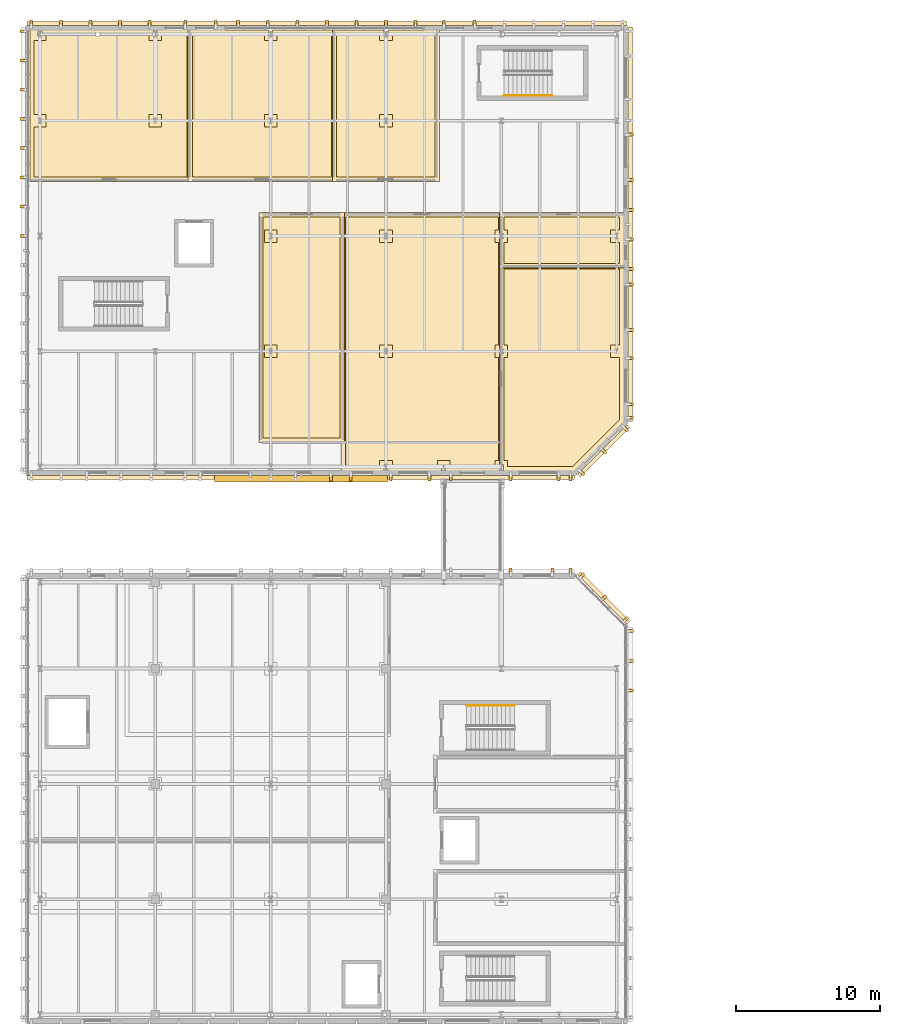
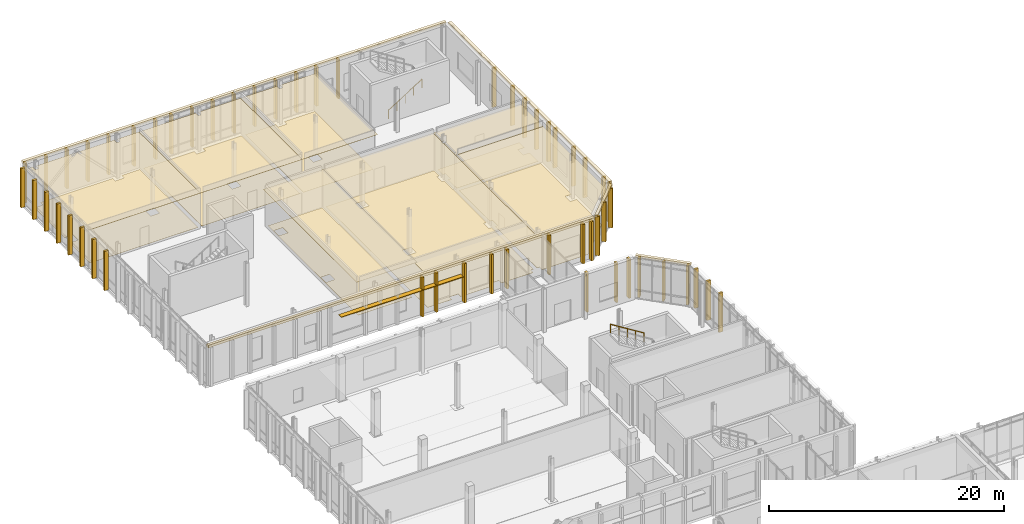
# One storey, part 95 of 100: 73 coverings, 2 railings, 1 shading device.
"""IFC4 building model written with IfcOpenShell, lengths in metres."""

from ifc_helpers import new_model, si_unit, direction, frame, origin, origin_2d, place, context, subcontext, project, spatial, polyline, rectangle, circle, outline, extrude, material, layer, layer_set, type_object, element, save


model = new_model("IFC4")

# Units and contexts
model_context = context("Model", 3, precision=1e-05, world=origin(), true_north=direction((0.0, 1.0)))
body_context = subcontext(model_context, "Body", "Model", "MODEL_VIEW")
ifc_project = project(units=[si_unit("LENGTHUNIT", "METRE"), si_unit("AREAUNIT", "SQUARE_METRE"), si_unit("VOLUMEUNIT", "CUBIC_METRE"), si_unit("PLANEANGLEUNIT", "RADIAN"), si_unit("MASSUNIT", "GRAM", prefix="KILO")], contexts=[model_context])

# Site, building, storey
site_placement = place(None, origin())
site = spatial("IfcSite", under=ifc_project, at=site_placement, CompositionType="ELEMENT")
building_placement = place(site_placement, origin())
building = spatial("IfcBuilding", under=site, at=building_placement, Name="Cymarion Research Institute", CompositionType="ELEMENT")
storey_placement = place(building_placement, frame((0.0, 0.0, 9.300048828125)))
storey = spatial("IfcBuildingStorey", under=building, at=storey_placement, Name="L02", CompositionType="ELEMENT", Elevation=9.300048828125)

# Coverings
ifc_material_1 = material(Name="Micro-perforated mineral acoustic ceiling tile", Category="gypsum")
ifc_layer_1 = layer(ifc_material_1, 0.030029296875)
ifc_layer_set_1 = layer_set([ifc_layer_1], Name="Micro-perforated mineral acoustic ceiling tile")
covering_type_1 = type_object("IfcCoveringType", Name="ACOUSTIC MICRO-PERFORATED SUSPENDED CEILING CLG-01", PredefinedType="CEILING", material=ifc_layer_set_1)
covering_1_placement = place(storey_placement, frame((0.0, 0.0, 3.699951171875)))
element("IfcCovering", 1, at=covering_1_placement, inside=storey, type_object=covering_type_1, Name="L02 L02 Climate & Earth-System Dry Modelling Laboratory acoustic ceiling", PredefinedType="CEILING", context=body_context, shape_type="SweptSolid", body=[
    extrude(outline(polyline([(27.715087890625, 103.114990234375), (27.715087890625, 87.18505859375), (21.784912109375, 87.18505859375), (21.784912109375, 103.114990234375), (27.715087890625, 103.114990234375)])), origin(), (0.0, 0.0, 1.0), 0.030029296875),
])
covering_2_placement = place(storey_placement, frame((0.0, 0.0, 3.699951171875)))
element("IfcCovering", 2, at=covering_2_placement, inside=storey, type_object=covering_type_1, Name="L02 L02 High-Performance Computing & Cryo-Data Room acoustic ceiling", PredefinedType="CEILING", context=body_context, shape_type="SweptSolid", body=[
    extrude(outline(polyline([(38.715087890625, 101.635009765625), (38.465087890625, 101.635009765625), (38.465087890625, 101.364990234375), (38.715087890625, 101.364990234375), (38.715087890625, 93.635009765625), (38.465087890625, 93.635009765625), (38.465087890625, 93.364990234375), (38.715087890625, 93.364990234375), (38.715087890625, 85.635009765625), (38.465087890625, 85.635009765625), (38.465087890625, 85.205078125), (34.735107421875, 85.205078125), (34.735107421875, 85.635009765625), (34.465087890625, 85.635009765625), (34.465087890625, 85.205078125), (30.735107421875, 85.205078125), (30.735107421875, 85.635009765625), (30.465087890625, 85.635009765625), (30.465087890625, 85.205078125), (27.485107421875, 85.205078125), (27.485107421875, 103.114990234375), (38.715087890625, 103.114990234375), (38.715087890625, 101.635009765625)])), origin(), (0.0, 0.0, 1.0), 0.030029296875),
])
covering_3_placement = place(storey_placement, frame((0.0, 0.0, 3.699951171875)))
element("IfcCovering", 3, at=covering_3_placement, inside=storey, type_object=covering_type_1, Name="L02 L02 Cryo-Data Cold Tape & UPS Equipment Room acoustic ceiling", PredefinedType="CEILING", context=body_context, shape_type="SweptSolid", body=[
    extrude(outline(polyline([(47.094970703125, 88.626220703125), (43.673583984375, 85.205078125), (38.735107421875, 85.205078125), (38.735107421875, 85.635009765625), (38.485107421875, 85.635009765625), (38.485107421875, 93.364990234375), (38.735107421875, 93.364990234375), (38.735107421875, 93.635009765625), (38.485107421875, 93.635009765625), (38.485107421875, 99.514892578125), (47.094970703125, 99.514892578125), (47.094970703125, 88.626220703125)])), origin(), (0.0, 0.0, 1.0), 0.030029296875),
])
covering_4_placement = place(storey_placement, frame((0.0, 0.0, 3.699951171875)))
element("IfcCovering", 4, at=covering_4_placement, inside=storey, type_object=covering_type_1, Name="L02 L02 Computational Wing Accessible WC acoustic ceiling", PredefinedType="CEILING", context=body_context, shape_type="SweptSolid", body=[
    extrude(outline(polyline([(38.735107421875, 101.364990234375), (38.735107421875, 101.635009765625), (38.485107421875, 101.635009765625), (38.485107421875, 103.114990234375), (47.094970703125, 103.114990234375), (47.094970703125, 99.284912109375), (38.485107421875, 99.284912109375), (38.485107421875, 101.364990234375), (38.735107421875, 101.364990234375)])), origin(), (0.0, 0.0, 1.0), 0.030029296875),
])
covering_5_placement = place(storey_placement, frame((0.0, 0.0, 3.699951171875)))
element("IfcCovering", 5, at=covering_5_placement, inside=storey, type_object=covering_type_1, Name="L02 L02 Principal Investigator Offices North-West acoustic ceiling", PredefinedType="CEILING", context=body_context, shape_type="SweptSolid", body=[
    extrude(outline(polyline([(5.905029296875, 115.794921875), (6.465087890625, 115.794921875), (6.465087890625, 115.364990234375), (6.735107421875, 115.364990234375), (6.735107421875, 115.794921875), (14.465087890625, 115.794921875), (14.465087890625, 115.364990234375), (14.735107421875, 115.364990234375), (14.735107421875, 115.794921875), (17.114990234375, 115.794921875), (17.114990234375, 105.284912109375), (5.905029296875, 105.284912109375), (5.905029296875, 115.794921875)])), origin(), (0.0, 0.0, 1.0), 0.030029296875),
])
covering_6_placement = place(storey_placement, frame((0.0, 0.0, 3.699951171875)))
element("IfcCovering", 6, at=covering_6_placement, inside=storey, type_object=covering_type_1, Name="L02 L02 Postdoctoral Dry Write-Up & Reading Bay acoustic ceiling", PredefinedType="CEILING", context=body_context, shape_type="SweptSolid", body=[
    extrude(outline(polyline([(16.885009765625, 115.794921875), (22.465087890625, 115.794921875), (22.465087890625, 115.364990234375), (22.735107421875, 115.364990234375), (22.735107421875, 115.794921875), (27.114990234375, 115.794921875), (27.114990234375, 105.284912109375), (16.885009765625, 105.284912109375), (16.885009765625, 115.794921875)])), origin(), (0.0, 0.0, 1.0), 0.030029296875),
])
covering_7_placement = place(storey_placement, frame((0.0, 0.0, 3.699951171875)))
element("IfcCovering", 7, at=covering_7_placement, inside=storey, type_object=covering_type_1, Name="L02 L02 Scientific Visualization & Machine-Learning Dry Lab acoustic ceiling", PredefinedType="CEILING", context=body_context, shape_type="SweptSolid", body=[
    extrude(outline(polyline([(26.885009765625, 115.794921875), (30.465087890625, 115.794921875), (30.465087890625, 115.364990234375), (30.735107421875, 115.364990234375), (30.735107421875, 115.794921875), (34.31494140625, 115.794921875), (34.31494140625, 105.284912109375), (26.885009765625, 105.284912109375), (26.885009765625, 115.794921875)])), origin(), (0.0, 0.0, 1.0), 0.030029296875),
])

# Shading device
ifc_material_2 = material(Name="Anodised aluminium solar louvre jalousie", Category="aluminium")
ifc_layer_2 = layer(ifc_material_2, 0.06005859375)
ifc_layer_set_2 = layer_set([ifc_layer_2], Name="Anodised aluminium solar louvre jalousie")
shading_device_type = type_object("IfcShadingDeviceType", Name="ANODISED ALUMINIUM HORIZONTAL LOUVRE JALOUSIE SHD3 450MM", PredefinedType="JALOUSIE", material=ifc_layer_set_2)
shading_device_placement = place(storey_placement, frame((24.699951171875, 84.673095703125, 2.7900390625), z_axis=(0.0, 0.0, 1.0), x_axis=(0.0, -1.0, 0.0)))
element("IfcShadingDevice", 8, at=shading_device_placement, inside=storey, type_object=shading_device_type, Name="L02 V5 south aluminium sunshade SHD3 #6", PredefinedType="JALOUSIE", context=body_context, shape_type="SweptSolid", body=[
    extrude(rectangle(XDim=0.449951171875, YDim=12.0, at=origin_2d()), origin(), (0.0, 0.0, 1.0), 0.06005859375),
])

# Coverings
ifc_material_3 = material(Name="Precast concrete C45/55 architectural white", Category="concrete")
ifc_layer_3 = layer(ifc_material_3, 0.260009765625)
ifc_layer_set_3 = layer_set([ifc_layer_3], Name="Precast concrete C45/55 architectural white")
covering_type_2 = type_object("IfcCoveringType", Name="SCULPTURAL WHITE PRECAST CONCRETE SPANDREL BROW BAND RIB2 280MM", PredefinedType="CLADDING", material=ifc_layer_set_3)
covering_8_placement = place(storey_placement, frame((45.700439453125, 76.400390625, 4.08984375), z_axis=(0.0, 0.0, 1.0), x_axis=(0.707106781187, 0.707106781187, 0.0)))
element("IfcCovering", 9, at=covering_8_placement, inside=storey, type_object=covering_type_2, Name="L02 V4 precast spandrel brow band RIB2 #549", PredefinedType="CLADDING", context=body_context, shape_type="SweptSolid", body=[
    extrude(rectangle(XDim=0.280029296875, YDim=4.85107421875, at=origin_2d()), origin(), (0.0, 0.0, 1.0), 0.260009765625),
])
covering_9_placement = place(storey_placement, frame((24.699951171875, 84.758056640625, 4.08984375), z_axis=(0.0, 0.0, 1.0), x_axis=(0.0, -1.0, 0.0)))
element("IfcCovering", 10, at=covering_9_placement, inside=storey, type_object=covering_type_2, Name="L02 V5 precast spandrel brow band RIB2 #588", PredefinedType="CLADDING", context=body_context, shape_type="SweptSolid", body=[
    extrude(rectangle(XDim=0.280029296875, YDim=37.9599609375, at=origin_2d()), origin(), (0.0, 0.0, 1.0), 0.260009765625),
])
covering_10_placement = place(storey_placement, frame((45.700439453125, 86.599609375, 4.08984375), z_axis=(0.0, 0.0, 1.0), x_axis=(0.707106781187, -0.707106781187, 0.0)))
element("IfcCovering", 11, at=covering_10_placement, inside=storey, type_object=covering_type_2, Name="L02 V5 precast spandrel brow band RIB2 #607", PredefinedType="CLADDING", context=body_context, shape_type="SweptSolid", body=[
    extrude(rectangle(XDim=0.280029296875, YDim=4.85107421875, at=origin_2d()), origin(), (0.0, 0.0, 1.0), 0.260009765625),
])
covering_11_placement = place(storey_placement, frame((47.5419921875, 102.300048828125, 4.08984375), z_axis=(0.0, 0.0, 1.0), x_axis=(1.0, 0.0, 0.0)))
element("IfcCovering", 12, at=covering_11_placement, inside=storey, type_object=covering_type_2, Name="L02 V5 precast spandrel brow band RIB2 #611", PredefinedType="CLADDING", context=body_context, shape_type="SweptSolid", body=[
    extrude(rectangle(XDim=0.280029296875, YDim=27.360107421875, at=origin_2d()), origin(), (0.0, 0.0, 1.0), 0.260009765625),
])
covering_12_placement = place(storey_placement, frame((26.5, 116.241943359375, 4.08984375), z_axis=(0.0, 0.0, 1.0), x_axis=(0.0, 1.0, 0.0)))
element("IfcCovering", 13, at=covering_12_placement, inside=storey, type_object=covering_type_2, Name="L02 V5 precast spandrel brow band RIB2 #626", PredefinedType="CLADDING", context=body_context, shape_type="SweptSolid", body=[
    extrude(rectangle(XDim=0.280029296875, YDim=41.56005859375, at=origin_2d()), origin(), (0.0, 0.0, 1.0), 0.260009765625),
])
ifc_layer_4 = layer(ifc_material_3, 0.199951171875)
ifc_layer_set_4 = layer_set([ifc_layer_4], Name="Precast concrete C45/55 architectural white")
covering_type_3 = type_object("IfcCoveringType", Name="SCULPTURAL WHITE PRECAST CONCRETE VERTICAL RIB RIB1 380X200", PredefinedType="CLADDING", material=ifc_layer_set_4)
for number, where, z_axis, x_axis, name in (
    (14, (47.592041015625, 69.976806640625, 0.009765625), (0.0, 0.0, 1.0), (1.0, 0.0, 0.0), "L02 V4 sculptural precast vertical rib RIB1 #546"),
    (15, (47.592041015625, 72.03857421875, 0.009765625), (0.0, 0.0, 1.0), (1.0, 0.0, 0.0), "L02 V4 sculptural precast vertical rib RIB1 #547"),
    (16, (47.592041015625, 74.10009765625, 0.009765625), (0.0, 0.0, 1.0), (1.0, 0.0, 0.0), "L02 V4 sculptural precast vertical rib RIB1 #548"),
    (17, (47.2529296875, 74.918701171875, 0.009765625), (0.0, 0.0, 1.0), (0.707106781187, 0.707106781187, 0.0), "L02 V4 sculptural precast vertical rib RIB1 #550"),
    (18, (45.73583984375, 76.435791015625, 0.009765625), (0.0, 0.0, 1.0), (0.707106781187, 0.707106781187, 0.0), "L02 V4 sculptural precast vertical rib RIB1 #551"),
    (19, (44.218505859375, 77.952880859375, 0.009765625), (0.0, 0.0, 1.0), (0.707106781187, 0.707106781187, 0.0), "L02 V4 sculptural precast vertical rib RIB1 #552"),
    (20, (43.39990234375, 78.2919921875, 0.009765625), (0.0, 0.0, 1.0), (0.0, 1.0, 0.0), "L02 V4 sculptural precast vertical rib RIB1 #554"),
    (21, (42.13818359375, 78.2919921875, 0.009765625), (0.0, 0.0, 1.0), (0.0, 1.0, 0.0), "L02 V4 sculptural precast vertical rib RIB1 #555"),
    (22, (39.244384765625, 78.2919921875, 0.009765625), (0.0, 0.0, 1.0), (0.0, 1.0, 0.0), "L02 V4 sculptural precast vertical rib RIB1 #556"),
    (23, (26.77783203125, 84.7080078125, 0.009765625), (0.0, 0.0, 1.0), (0.0, -1.0, 0.0), "L02 V5 sculptural precast vertical rib RIB1 #599"),
    (24, (28.155029296875, 84.7080078125, 0.009765625), (0.0, 0.0, 1.0), (0.0, -1.0, 0.0), "L02 V5 sculptural precast vertical rib RIB1 #600"),
    (25, (30.933349609375, 84.7080078125, 0.009765625), (0.0, 0.0, 1.0), (0.0, -1.0, 0.0), "L02 V5 sculptural precast vertical rib RIB1 #601"),
    (26, (33.60498046875, 84.7080078125, 0.009765625), (0.0, 0.0, 1.0), (0.0, -1.0, 0.0), "L02 V5 sculptural precast vertical rib RIB1 #602"),
    (27, (35.0888671875, 84.7080078125, 0.009765625), (0.0, 0.0, 1.0), (0.0, -1.0, 0.0), "L02 V5 sculptural precast vertical rib RIB1 #603"),
    (28, (39.244384765625, 84.7080078125, 0.009765625), (0.0, 0.0, 1.0), (0.0, -1.0, 0.0), "L02 V5 sculptural precast vertical rib RIB1 #604"),
    (29, (42.574951171875, 84.7080078125, 0.009765625), (0.0, 0.0, 1.0), (0.0, -1.0, 0.0), "L02 V5 sculptural precast vertical rib RIB1 #605"),
    (30, (43.39990234375, 84.7080078125, 0.009765625), (0.0, 0.0, 1.0), (0.0, -1.0, 0.0), "L02 V5 sculptural precast vertical rib RIB1 #606"),
    (31, (44.218505859375, 85.047119140625, 0.009765625), (0.0, 0.0, 1.0), (0.707106781187, -0.707106781187, 0.0), "L02 V5 sculptural precast vertical rib RIB1 #608"),
    (32, (45.73583984375, 86.564208984375, 0.009765625), (0.0, 0.0, 1.0), (0.707106781187, -0.707106781187, 0.0), "L02 V5 sculptural precast vertical rib RIB1 #609"),
    (33, (47.2529296875, 88.081298828125, 0.009765625), (0.0, 0.0, 1.0), (0.707106781187, -0.707106781187, 0.0), "L02 V5 sculptural precast vertical rib RIB1 #610"),
    (34, (47.592041015625, 88.89990234375, 0.009765625), (0.0, 0.0, 1.0), (1.0, 0.0, 0.0), "L02 V5 sculptural precast vertical rib RIB1 #612"),
    (35, (47.592041015625, 89.8369140625, 0.009765625), (0.0, 0.0, 1.0), (1.0, 0.0, 0.0), "L02 V5 sculptural precast vertical rib RIB1 #613"),
    (36, (47.592041015625, 93.023193359375, 0.009765625), (0.0, 0.0, 1.0), (1.0, 0.0, 0.0), "L02 V5 sculptural precast vertical rib RIB1 #614"),
    (37, (47.592041015625, 94.994873046875, 0.009765625), (0.0, 0.0, 1.0), (1.0, 0.0, 0.0), "L02 V5 sculptural precast vertical rib RIB1 #615"),
    (38, (47.592041015625, 98.144775390625, 0.009765625), (0.0, 0.0, 1.0), (1.0, 0.0, 0.0), "L02 V5 sculptural precast vertical rib RIB1 #616"),
    (39, (47.592041015625, 99.207763671875, 0.009765625), (0.0, 0.0, 1.0), (1.0, 0.0, 0.0), "L02 V5 sculptural precast vertical rib RIB1 #617"),
    (40, (47.592041015625, 101.269287109375, 0.009765625), (0.0, 0.0, 1.0), (1.0, 0.0, 0.0), "L02 V5 sculptural precast vertical rib RIB1 #618"),
    (41, (47.592041015625, 103.2998046875, 0.009765625), (0.0, 0.0, 1.0), (1.0, 0.0, 0.0), "L02 V5 sculptural precast vertical rib RIB1 #619"),
    (42, (47.592041015625, 105.392333984375, 0.009765625), (0.0, 0.0, 1.0), (1.0, 0.0, 0.0), "L02 V5 sculptural precast vertical rib RIB1 #620"),
    (43, (47.592041015625, 108.52978515625, 0.009765625), (0.0, 0.0, 1.0), (1.0, 0.0, 0.0), "L02 V5 sculptural precast vertical rib RIB1 #621"),
    (44, (36.75, 116.2919921875, 0.009765625), (0.0, 0.0, 1.0), (0.0, 1.0, 0.0), "L02 V5 sculptural precast vertical rib RIB1 #632"),
    (45, (34.610107421875, 116.2919921875, 0.009765625), (0.0, 0.0, 1.0), (0.0, 1.0, 0.0), "L02 V5 sculptural precast vertical rib RIB1 #633"),
    (46, (32.64990234375, 116.2919921875, 0.009765625), (0.0, 0.0, 1.0), (0.0, 1.0, 0.0), "L02 V5 sculptural precast vertical rib RIB1 #634"),
    (47, (30.60009765625, 116.2919921875, 0.009765625), (0.0, 0.0, 1.0), (0.0, 1.0, 0.0), "L02 V5 sculptural precast vertical rib RIB1 #635"),
    (48, (28.550048828125, 116.2919921875, 0.009765625), (0.0, 0.0, 1.0), (0.0, 1.0, 0.0), "L02 V5 sculptural precast vertical rib RIB1 #636"),
    (49, (26.5, 116.2919921875, 0.009765625), (0.0, 0.0, 1.0), (0.0, 1.0, 0.0), "L02 V5 sculptural precast vertical rib RIB1 #637"),
    (50, (24.449951171875, 116.2919921875, 0.009765625), (0.0, 0.0, 1.0), (0.0, 1.0, 0.0), "L02 V5 sculptural precast vertical rib RIB1 #638"),
    (51, (22.39990234375, 116.2919921875, 0.009765625), (0.0, 0.0, 1.0), (0.0, 1.0, 0.0), "L02 V5 sculptural precast vertical rib RIB1 #639"),
    (52, (20.35009765625, 116.2919921875, 0.009765625), (0.0, 0.0, 1.0), (0.0, 1.0, 0.0), "L02 V5 sculptural precast vertical rib RIB1 #640"),
    (53, (18.79296875, 116.2919921875, 0.009765625), (0.0, 0.0, 1.0), (0.0, 1.0, 0.0), "L02 V5 sculptural precast vertical rib RIB1 #641"),
    (54, (16.679931640625, 116.2919921875, 0.009765625), (0.0, 0.0, 1.0), (0.0, 1.0, 0.0), "L02 V5 sculptural precast vertical rib RIB1 #642"),
    (55, (14.199951171875, 116.2919921875, 0.009765625), (0.0, 0.0, 1.0), (0.0, 1.0, 0.0), "L02 V5 sculptural precast vertical rib RIB1 #643"),
    (56, (12.14990234375, 116.2919921875, 0.009765625), (0.0, 0.0, 1.0), (0.0, 1.0, 0.0), "L02 V5 sculptural precast vertical rib RIB1 #644"),
    (57, (10.10009765625, 116.2919921875, 0.009765625), (0.0, 0.0, 1.0), (0.0, 1.0, 0.0), "L02 V5 sculptural precast vertical rib RIB1 #645"),
    (58, (8.050048828125, 116.2919921875, 0.009765625), (0.0, 0.0, 1.0), (0.0, 1.0, 0.0), "L02 V5 sculptural precast vertical rib RIB1 #646"),
    (59, (6.0, 116.2919921875, 0.009765625), (0.0, 0.0, 1.0), (0.0, 1.0, 0.0), "L02 V5 sculptural precast vertical rib RIB1 #647"),
    (60, (5.407958984375, 115.699951171875, 0.009765625), (0.0, 0.0, 1.0), (-1.0, 0.0, 0.0), "L02 V5 sculptural precast vertical rib RIB1 #649"),
    (61, (5.407958984375, 113.67333984375, 0.009765625), (0.0, 0.0, 1.0), (-1.0, 0.0, 0.0), "L02 V5 sculptural precast vertical rib RIB1 #650"),
    (62, (5.407958984375, 111.646728515625, 0.009765625), (0.0, 0.0, 1.0), (-1.0, 0.0, 0.0), "L02 V5 sculptural precast vertical rib RIB1 #651"),
    (63, (5.407958984375, 109.6201171875, 0.009765625), (0.0, 0.0, 1.0), (-1.0, 0.0, 0.0), "L02 V5 sculptural precast vertical rib RIB1 #652"),
    (64, (5.407958984375, 107.59326171875, 0.009765625), (0.0, 0.0, 1.0), (-1.0, 0.0, 0.0), "L02 V5 sculptural precast vertical rib RIB1 #653"),
    (65, (5.407958984375, 105.566650390625, 0.009765625), (0.0, 0.0, 1.0), (-1.0, 0.0, 0.0), "L02 V5 sculptural precast vertical rib RIB1 #654"),
    (66, (5.407958984375, 103.5400390625, 0.009765625), (0.0, 0.0, 1.0), (-1.0, 0.0, 0.0), "L02 V5 sculptural precast vertical rib RIB1 #655"),
    (67, (5.407958984375, 101.51318359375, 0.009765625), (0.0, 0.0, 1.0), (-1.0, 0.0, 0.0), "L02 V5 sculptural precast vertical rib RIB1 #656"),
):
    element("IfcCovering", number, at=place(storey_placement, frame(where, z_axis=z_axis, x_axis=x_axis)), inside=storey, type_object=covering_type_3, Name=name, PredefinedType="CLADDING", context=body_context, shape_type="SweptSolid", body=[
        extrude(rectangle(XDim=0.3798828125, YDim=0.199951171875, at=origin_2d()), origin(), (0.0, 0.0, 1.0), 4.074951171875),
    ])
ifc_material_4 = material(Name="Seamless dissipative epoxy resin flooring", Category="resin")
ifc_layer_5 = layer(ifc_material_4, 0.02001953125)
ifc_layer_set_5 = layer_set([ifc_layer_5], Name="Seamless dissipative epoxy resin flooring")
covering_type_4 = type_object("IfcCoveringType", Name="SEAMLESS ESD EPOXY LABORATORY FLOORING FLR-01", PredefinedType="FLOORING", material=ifc_layer_set_5)
covering_13_placement = place(storey_placement, origin())
element("IfcCovering", 68, at=covering_13_placement, inside=storey, type_object=covering_type_4, Name="L02 L02 Climate & Earth-System Dry Modelling Laboratory ESD epoxy flooring", PredefinedType="FLOORING", context=body_context, shape_type="SweptSolid", body=[
    extrude(outline(polyline([(22.0849609375, 102.81494140625), (27.4150390625, 102.81494140625), (27.4150390625, 87.485107421875), (22.0849609375, 87.485107421875), (22.0849609375, 102.81494140625)]), holes=[polyline([(23.034912109375, 93.93505859375), (22.1650390625, 93.93505859375), (22.1650390625, 93.06494140625), (23.034912109375, 93.06494140625), (23.034912109375, 93.93505859375)]), polyline([(23.034912109375, 101.93505859375), (22.1650390625, 101.93505859375), (22.1650390625, 101.06494140625), (23.034912109375, 101.06494140625), (23.034912109375, 101.93505859375)])]), origin(), (0.0, 0.0, 1.0), 0.02001953125),
])
covering_14_placement = place(storey_placement, origin())
element("IfcCovering", 69, at=covering_14_placement, inside=storey, type_object=covering_type_4, Name="L02 L02 High-Performance Computing & Cryo-Data Room ESD epoxy flooring", PredefinedType="FLOORING", context=body_context, shape_type="SweptSolid", body=[
    extrude(outline(polyline([(38.4150390625, 102.81494140625), (38.4150390625, 101.93505859375), (38.1650390625, 101.93505859375), (38.1650390625, 101.06494140625), (38.4150390625, 101.06494140625), (38.4150390625, 93.93505859375), (38.1650390625, 93.93505859375), (38.1650390625, 93.06494140625), (38.4150390625, 93.06494140625), (38.4150390625, 85.93505859375), (38.1650390625, 85.93505859375), (38.1650390625, 85.5048828125), (35.034912109375, 85.5048828125), (35.034912109375, 85.93505859375), (34.1650390625, 85.93505859375), (34.1650390625, 85.5048828125), (31.034912109375, 85.5048828125), (31.034912109375, 85.93505859375), (30.1650390625, 85.93505859375), (30.1650390625, 85.5048828125), (27.784912109375, 85.5048828125), (27.784912109375, 102.81494140625), (38.4150390625, 102.81494140625)]), holes=[polyline([(31.034912109375, 93.93505859375), (30.1650390625, 93.93505859375), (30.1650390625, 93.06494140625), (31.034912109375, 93.06494140625), (31.034912109375, 93.93505859375)]), polyline([(31.034912109375, 101.93505859375), (30.1650390625, 101.93505859375), (30.1650390625, 101.06494140625), (31.034912109375, 101.06494140625), (31.034912109375, 101.93505859375)])]), origin(), (0.0, 0.0, 1.0), 0.02001953125),
])
covering_15_placement = place(storey_placement, origin())
element("IfcCovering", 70, at=covering_15_placement, inside=storey, type_object=covering_type_4, Name="L02 L02 Cryo-Data Cold Tape & UPS Equipment Room ESD epoxy flooring", PredefinedType="FLOORING", context=body_context, shape_type="SweptSolid", body=[
    extrude(outline(polyline([(46.794921875, 93.06494140625), (46.794921875, 88.75048828125), (43.54931640625, 85.5048828125), (39.034912109375, 85.5048828125), (39.034912109375, 85.93505859375), (38.784912109375, 85.93505859375), (38.784912109375, 93.06494140625), (39.034912109375, 93.06494140625), (39.034912109375, 93.93505859375), (38.784912109375, 93.93505859375), (38.784912109375, 99.215087890625), (46.794921875, 99.215087890625), (46.794921875, 93.93505859375), (46.1650390625, 93.93505859375), (46.1650390625, 93.06494140625), (46.794921875, 93.06494140625)])), origin(), (0.0, 0.0, 1.0), 0.02001953125),
])
covering_16_placement = place(storey_placement, origin())
element("IfcCovering", 71, at=covering_16_placement, inside=storey, type_object=covering_type_4, Name="L02 L02 Computational Wing Accessible WC ESD epoxy flooring", PredefinedType="FLOORING", context=body_context, shape_type="SweptSolid", body=[
    extrude(outline(polyline([(38.784912109375, 101.06494140625), (39.034912109375, 101.06494140625), (39.034912109375, 101.93505859375), (38.784912109375, 101.93505859375), (38.784912109375, 102.81494140625), (46.794921875, 102.81494140625), (46.794921875, 101.93505859375), (46.1650390625, 101.93505859375), (46.1650390625, 101.06494140625), (46.794921875, 101.06494140625), (46.794921875, 99.5849609375), (38.784912109375, 99.5849609375), (38.784912109375, 101.06494140625)])), origin(), (0.0, 0.0, 1.0), 0.02001953125),
])
covering_17_placement = place(storey_placement, origin())
element("IfcCovering", 72, at=covering_17_placement, inside=storey, type_object=covering_type_4, Name="L02 L02 Principal Investigator Offices North-West ESD epoxy flooring", PredefinedType="FLOORING", context=body_context, shape_type="SweptSolid", body=[
    extrude(outline(polyline([(6.205078125, 105.5849609375), (6.205078125, 109.06494140625), (7.034912109375, 109.06494140625), (7.034912109375, 109.93505859375), (6.205078125, 109.93505859375), (6.205078125, 115.06494140625), (7.034912109375, 115.06494140625), (7.034912109375, 115.4951171875), (14.1650390625, 115.4951171875), (14.1650390625, 115.06494140625), (15.034912109375, 115.06494140625), (15.034912109375, 115.4951171875), (16.81494140625, 115.4951171875), (16.81494140625, 105.5849609375), (6.205078125, 105.5849609375)]), holes=[polyline([(15.034912109375, 109.93505859375), (14.1650390625, 109.93505859375), (14.1650390625, 109.06494140625), (15.034912109375, 109.06494140625), (15.034912109375, 109.93505859375)])]), origin(), (0.0, 0.0, 1.0), 0.02001953125),
])
covering_18_placement = place(storey_placement, origin())
element("IfcCovering", 73, at=covering_18_placement, inside=storey, type_object=covering_type_4, Name="L02 L02 Postdoctoral Dry Write-Up & Reading Bay ESD epoxy flooring", PredefinedType="FLOORING", context=body_context, shape_type="SweptSolid", body=[
    extrude(outline(polyline([(17.18505859375, 105.5849609375), (17.18505859375, 115.4951171875), (22.1650390625, 115.4951171875), (22.1650390625, 115.06494140625), (23.034912109375, 115.06494140625), (23.034912109375, 115.4951171875), (26.81494140625, 115.4951171875), (26.81494140625, 105.5849609375), (17.18505859375, 105.5849609375)]), holes=[polyline([(23.034912109375, 109.93505859375), (22.1650390625, 109.93505859375), (22.1650390625, 109.06494140625), (23.034912109375, 109.06494140625), (23.034912109375, 109.93505859375)])]), origin(), (0.0, 0.0, 1.0), 0.02001953125),
])
covering_19_placement = place(storey_placement, origin())
element("IfcCovering", 74, at=covering_19_placement, inside=storey, type_object=covering_type_4, Name="L02 L02 Scientific Visualization & Machine-Learning Dry Lab ESD epoxy flooring", PredefinedType="FLOORING", context=body_context, shape_type="SweptSolid", body=[
    extrude(outline(polyline([(27.18505859375, 105.5849609375), (27.18505859375, 115.4951171875), (30.1650390625, 115.4951171875), (30.1650390625, 115.06494140625), (31.034912109375, 115.06494140625), (31.034912109375, 115.4951171875), (34.014892578125, 115.4951171875), (34.014892578125, 105.5849609375), (27.18505859375, 105.5849609375)]), holes=[polyline([(31.034912109375, 109.93505859375), (30.1650390625, 109.93505859375), (30.1650390625, 109.06494140625), (31.034912109375, 109.06494140625), (31.034912109375, 109.93505859375)])]), origin(), (0.0, 0.0, 1.0), 0.02001953125),
])

# Railings
ifc_material_5 = material(Name="Steel S355", Category="steel")
railing_type = type_object("IfcRailingType", Name="STAINLESS STEEL STAIR HANDRAIL HR1 900MM", PredefinedType="HANDRAIL", material=ifc_material_5)
railing_1_placement = place(storey_placement, frame((39.5, 68.949951171875, 2.4375)))
element("IfcRailing", 75, at=railing_1_placement, inside=storey, type_object=railing_type, Name="L02 ST8 stair handrail 2", PredefinedType="HANDRAIL", context=body_context, shape_type="SweptSolid", body=[
    extrude(circle(Radius=0.02392578125, at=origin_2d()), frame((0.0, 0.0, 0.8759765625), z_axis=(-0.848001828478, 0.0, 0.529993300805), x_axis=(0.0, -1.0, 0.0)), (0.0, 0.0, 1.0), 3.8916015625),
    extrude(circle(Radius=0.02099609375, at=origin_2d()), origin(), (0.0, 0.0, 1.0), 0.851806640625),
    extrude(circle(Radius=0.02099609375, at=origin_2d()), frame((-0.824951171875, 0.0, 0.515625)), (0.0, 0.0, 1.0), 0.851806640625),
    extrude(circle(Radius=0.02099609375, at=origin_2d()), frame((-1.64990234375, 0.0, 1.03125)), (0.0, 0.0, 1.0), 0.851806640625),
    extrude(circle(Radius=0.02099609375, at=origin_2d()), frame((-2.47509765625, 0.0, 1.546875)), (0.0, 0.0, 1.0), 0.851806640625),
    extrude(circle(Radius=0.02099609375, at=origin_2d()), frame((-3.300048828125, 0.0, 2.0625)), (0.0, 0.0, 1.0), 0.851806640625),
])
railing_2_placement = place(storey_placement, frame((38.800048828125, 111.25, 0.1875)))
element("IfcRailing", 76, at=railing_2_placement, inside=storey, type_object=railing_type, Name="L02 ST10 stair handrail 1", PredefinedType="HANDRAIL", context=body_context, shape_type="SweptSolid", body=[
    extrude(circle(Radius=0.02392578125, at=origin_2d()), frame((0.0, 0.0, 0.8759765625), z_axis=(0.848001828478, 0.0, 0.529993300805), x_axis=(0.0, 1.0, 0.0)), (0.0, 0.0, 1.0), 3.8916015625),
    extrude(circle(Radius=0.02099609375, at=origin_2d()), origin(), (0.0, 0.0, 1.0), 0.851806640625),
    extrude(circle(Radius=0.02099609375, at=origin_2d()), frame((0.824951171875, 0.0, 0.515625)), (0.0, 0.0, 1.0), 0.851806640625),
    extrude(circle(Radius=0.02099609375, at=origin_2d()), frame((1.64990234375, 0.0, 1.03125)), (0.0, 0.0, 1.0), 0.851806640625),
    extrude(circle(Radius=0.02099609375, at=origin_2d()), frame((2.47509765625, 0.0, 1.546875)), (0.0, 0.0, 1.0), 0.851806640625),
    extrude(circle(Radius=0.02099609375, at=origin_2d()), frame((3.300048828125, 0.0, 2.0625)), (0.0, 0.0, 1.0), 0.851806640625),
])

save(model, "model.ifc")
